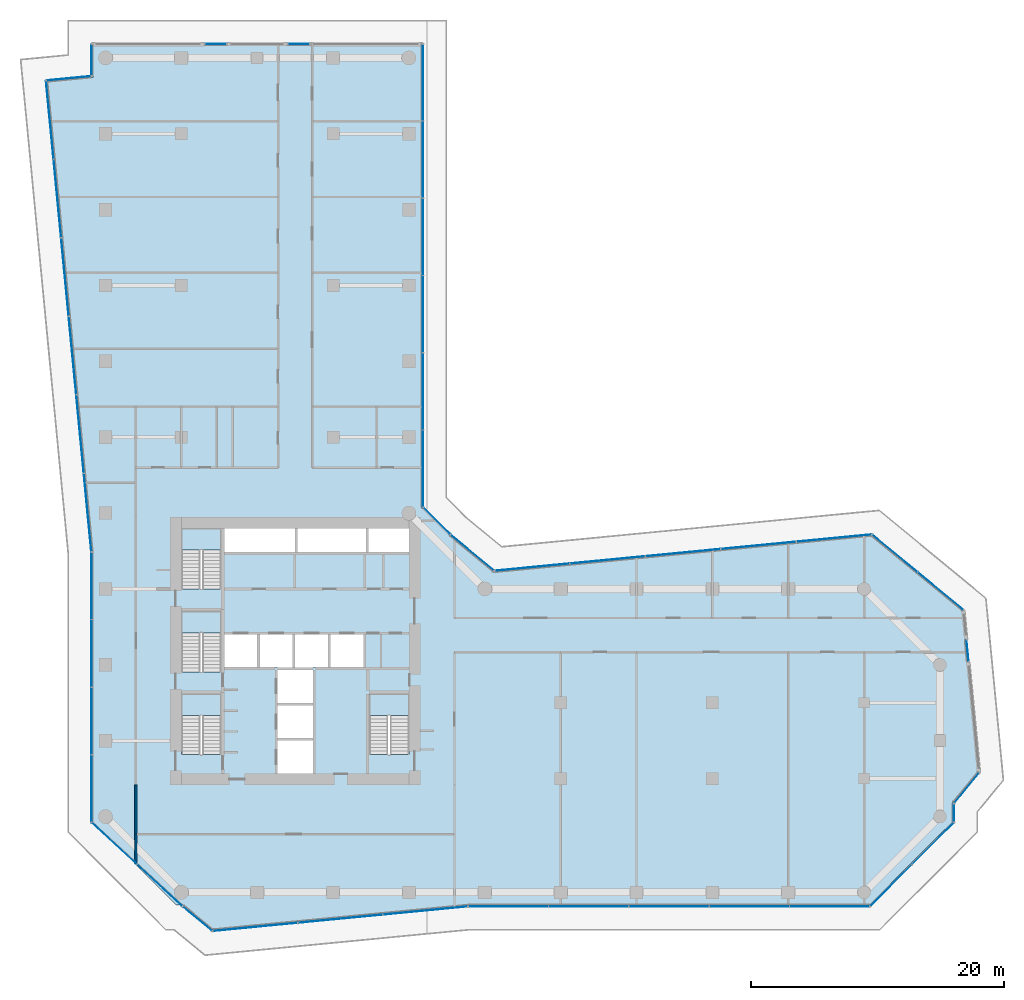
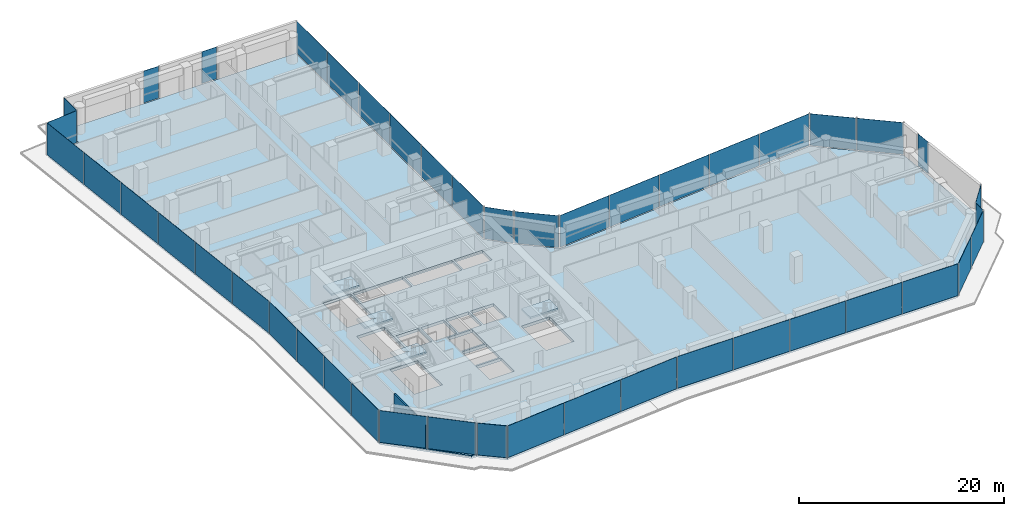
# One storey, part 23 of 30: 45 plates, 5 slabs, 2 walls, 23 elements without a shape of their own.
"""IFC4 building model written with IfcOpenShell, lengths in metres."""

from ifc_helpers import new_model, si_unit, direction, frame, frame_2d, origin, origin_2d, place, context, subcontext, project, spatial, polyline, rectangle, outline, extrude, material, layer, layer_set, type_object, element, aggregate, save


model = new_model("IFC4")

# Units and contexts
model_context = context("Model", 3, precision=1e-05, world=origin(), true_north=direction((0.0, 1.0)))
body_context = subcontext(model_context, "Body", "Model", "MODEL_VIEW")
ifc_project = project(units=[si_unit("LENGTHUNIT", "METRE"), si_unit("AREAUNIT", "SQUARE_METRE"), si_unit("VOLUMEUNIT", "CUBIC_METRE"), si_unit("PLANEANGLEUNIT", "RADIAN"), si_unit("MASSUNIT", "GRAM", prefix="KILO")], contexts=[model_context])

# Site, building, storey
site_placement = place(None, origin())
site = spatial("IfcSite", under=ifc_project, at=site_placement, CompositionType="ELEMENT")
building_placement = place(site_placement, origin())
building = spatial("IfcBuilding", under=site, at=building_placement, Name="Welwitschia Terrace Campus", CompositionType="ELEMENT")
storey_placement = place(building_placement, frame((0.0, 0.0, 75.199951171875)))
storey = spatial("IfcBuildingStorey", under=building, at=storey_placement, Name="L17", CompositionType="ELEMENT", Elevation=75.199951171875)

# Curtain wall, plates
ifc_material_1 = material(Name="Bronze anodised aluminium", Category="aluminium")
ifc_layer_1 = layer(ifc_material_1, 0.1201171875)
ifc_layer_set_1 = layer_set([ifc_layer_1], Name="Bronze anodised aluminium")
curtain_wall_type = type_object("IfcCurtainWallType", Name="Curtain wall CW2 tower 6000", PredefinedType="NOTDEFINED", material=ifc_layer_set_1)
curtain_wall_1_placement = place(storey_placement, origin())
curtain_wall_1 = element("IfcCurtainWall", 1, at=curtain_wall_1_placement, inside=storey, type_object=curtain_wall_type, Name="CW L17.0.0", PredefinedType="NOTDEFINED")
ifc_material_2 = material(Name="Tinted bronze-grey glass", Category="glass")
ifc_layer_2 = layer(ifc_material_2, 0.028076171875)
ifc_layer_set_2 = layer_set([ifc_layer_2], Name="Tinted bronze-grey glass")
plate_type = type_object("IfcPlateType", Name="Glass panel 28 tinted", PredefinedType="CURTAIN_PANEL", material=ifc_layer_set_2)
plate_1_placement = place(storey_placement, frame((0.698974609375, -0.134765625, 0.0), z_axis=(0.0, 0.0, 1.0), x_axis=(0.734854323203, -0.678224980128, 0.0)))
plate_1 = element("IfcPlate", 2, at=plate_1_placement, type_object=plate_type, Name="Panel L17.0.0.0", PredefinedType="CURTAIN_PANEL", context=body_context, shape_type="SweptSolid", body=[
    extrude(rectangle(XDim=4.814453125, YDim=0.028076171875, at=origin_2d()), origin(), (0.0, 0.0, 1.0), 3.800048828125),
])
plate_2_placement = place(storey_placement, frame((4.281005859375, -3.440673828125, 0.0), z_axis=(0.0, 0.0, 1.0), x_axis=(0.734854323203, -0.678224980128, 0.0)))
plate_2 = element("IfcPlate", 3, at=plate_2_placement, type_object=plate_type, Name="Panel L17.0.0.1", PredefinedType="CURTAIN_PANEL", context=body_context, shape_type="SweptSolid", body=[
    extrude(rectangle(XDim=4.814453125, YDim=0.028076171875, at=origin_2d()), origin(), (0.0, 0.0, 1.0), 3.800048828125),
])
aggregate(curtain_wall_1, [plate_1, plate_2])

# Curtain wall, plate
curtain_wall_2_placement = place(storey_placement, origin())
curtain_wall_2 = element("IfcCurtainWall", 4, at=curtain_wall_2_placement, inside=storey, type_object=curtain_wall_type, Name="CW L17.1.0", PredefinedType="NOTDEFINED")
plate_3_placement = place(storey_placement, frame((7.275146484375, -6.087646484375, 0.0), z_axis=(0.0, 0.0, 1.0), x_axis=(0.771624583388, -0.636078220278, 0.0)))
plate_3 = element("IfcPlate", 5, at=plate_3_placement, type_object=plate_type, Name="Panel L17.1.0.0", PredefinedType="CURTAIN_PANEL", context=body_context, shape_type="SweptSolid", body=[
    extrude(rectangle(XDim=2.941650390625, YDim=0.028076171875, at=origin_2d()), origin(), (0.0, 0.0, 1.0), 3.800048828125),
])
aggregate(curtain_wall_2, [plate_3])

# Curtain wall, plates
curtain_wall_3_placement = place(storey_placement, origin())
curtain_wall_3 = element("IfcCurtainWall", 6, at=curtain_wall_3_placement, inside=storey, type_object=curtain_wall_type, Name="CW L17.2.0", PredefinedType="NOTDEFINED")
plate_4_placement = place(storey_placement, frame((11.842041015625, -6.7353515625, 0.0), z_axis=(0.0, 0.0, 1.0), x_axis=(0.995396198367, 0.09584575252, 0.0)))
plate_4 = element("IfcPlate", 7, at=plate_4_placement, type_object=plate_type, Name="Panel L17.2.0.0", PredefinedType="CURTAIN_PANEL", context=body_context, shape_type="SweptSolid", body=[
    extrude(rectangle(XDim=6.6826171875, YDim=0.028076171875, at=origin_2d()), origin(), (0.0, 0.0, 1.0), 3.800048828125),
])
plate_5_placement = place(storey_placement, frame((18.568603515625, -6.087646484375, 0.0), z_axis=(0.0, 0.0, 1.0), x_axis=(0.995396198367, 0.09584575252, 0.0)))
plate_5 = element("IfcPlate", 8, at=plate_5_placement, type_object=plate_type, Name="Panel L17.2.0.1", PredefinedType="CURTAIN_PANEL", context=body_context, shape_type="SweptSolid", body=[
    extrude(rectangle(XDim=6.712646484375, YDim=0.028076171875, at=origin_2d()), origin(), (0.0, 0.0, 1.0), 3.800048828125),
])
plate_6_placement = place(storey_placement, frame((25.294921875, -5.43994140625, 0.0), z_axis=(0.0, 0.0, 1.0), x_axis=(0.995396198367, 0.09584575252, 0.0)))
plate_6 = element("IfcPlate", 9, at=plate_6_placement, type_object=plate_type, Name="Panel L17.2.0.2", PredefinedType="CURTAIN_PANEL", context=body_context, shape_type="SweptSolid", body=[
    extrude(rectangle(XDim=6.6826171875, YDim=0.028076171875, at=origin_2d()), origin(), (0.0, 0.0, 1.0), 3.800048828125),
])
aggregate(curtain_wall_3, [plate_4, plate_5, plate_6])

curtain_wall_4_placement = place(storey_placement, origin())
curtain_wall_4 = element("IfcCurtainWall", 10, at=curtain_wall_4_placement, inside=storey, type_object=curtain_wall_type, Name="CW L17.3.0", PredefinedType="NOTDEFINED")
plate_7_placement = place(storey_placement, frame((31.873779296875, -5.114013671875, 0.0), z_axis=(0.0, 0.0, 1.0), x_axis=(1.0, 0.0, 0.0)))
plate_7 = element("IfcPlate", 11, at=plate_7_placement, type_object=plate_type, Name="Panel L17.3.0.0", PredefinedType="CURTAIN_PANEL", context=body_context, shape_type="SweptSolid", body=[
    extrude(rectangle(XDim=6.26611328125, YDim=0.028076171875, at=origin_2d()), origin(), (0.0, 0.0, 1.0), 3.800048828125),
])
plate_8_placement = place(storey_placement, frame((38.21484375, -5.114013671875, 0.0), z_axis=(0.0, 0.0, 1.0), x_axis=(1.0, 0.0, 0.0)))
plate_8 = element("IfcPlate", 12, at=plate_8_placement, type_object=plate_type, Name="Panel L17.3.0.1", PredefinedType="CURTAIN_PANEL", context=body_context, shape_type="SweptSolid", body=[
    extrude(rectangle(XDim=6.296142578125, YDim=0.028076171875, at=origin_2d()), origin(), (0.0, 0.0, 1.0), 3.800048828125),
])
plate_9_placement = place(storey_placement, frame((44.571044921875, -5.114013671875, 0.0), z_axis=(0.0, 0.0, 1.0), x_axis=(1.0, 0.0, 0.0)))
plate_9 = element("IfcPlate", 13, at=plate_9_placement, type_object=plate_type, Name="Panel L17.3.0.2", PredefinedType="CURTAIN_PANEL", context=body_context, shape_type="SweptSolid", body=[
    extrude(rectangle(XDim=6.296142578125, YDim=0.028076171875, at=origin_2d()), origin(), (0.0, 0.0, 1.0), 3.800048828125),
])
plate_10_placement = place(storey_placement, frame((50.92724609375, -5.114013671875, 0.0), z_axis=(0.0, 0.0, 1.0), x_axis=(1.0, 0.0, 0.0)))
plate_10 = element("IfcPlate", 14, at=plate_10_placement, type_object=plate_type, Name="Panel L17.3.0.3", PredefinedType="CURTAIN_PANEL", context=body_context, shape_type="SweptSolid", body=[
    extrude(rectangle(XDim=6.296142578125, YDim=0.028076171875, at=origin_2d()), origin(), (0.0, 0.0, 1.0), 3.800048828125),
])
plate_11_placement = place(storey_placement, frame((57.268310546875, -5.114013671875, 0.0), z_axis=(0.0, 0.0, 1.0), x_axis=(1.0, 0.0, 0.0)))
plate_11 = element("IfcPlate", 15, at=plate_11_placement, type_object=plate_type, Name="Panel L17.3.0.4", PredefinedType="CURTAIN_PANEL", context=body_context, shape_type="SweptSolid", body=[
    extrude(rectangle(XDim=6.26611328125, YDim=0.028076171875, at=origin_2d()), origin(), (0.0, 0.0, 1.0), 3.800048828125),
])
aggregate(curtain_wall_4, [plate_7, plate_8, plate_9, plate_10, plate_11])

curtain_wall_5_placement = place(storey_placement, origin())
curtain_wall_5 = element("IfcCurtainWall", 16, at=curtain_wall_5_placement, inside=storey, type_object=curtain_wall_type, Name="CW L17.4.0", PredefinedType="NOTDEFINED")
plate_12_placement = place(storey_placement, frame((62.13525390625, -3.440185546875, 0.0), z_axis=(0.0, 0.0, 1.0), x_axis=(0.707106781187, 0.707106781187, 0.0)))
plate_12 = element("IfcPlate", 17, at=plate_12_placement, type_object=plate_type, Name="Panel L17.4.0.0", PredefinedType="CURTAIN_PANEL", context=body_context, shape_type="SweptSolid", body=[
    extrude(rectangle(XDim=4.614013671875, YDim=0.028076171875, at=origin_2d()), origin(), (0.0, 0.0, 1.0), 3.800048828125),
])
plate_13_placement = place(storey_placement, frame((65.440185546875, -0.13525390625, 0.0), z_axis=(0.0, 0.0, 1.0), x_axis=(0.707106781187, 0.707106781187, 0.0)))
plate_13 = element("IfcPlate", 18, at=plate_13_placement, type_object=plate_type, Name="Panel L17.4.0.1", PredefinedType="CURTAIN_PANEL", context=body_context, shape_type="SweptSolid", body=[
    extrude(rectangle(XDim=4.614013671875, YDim=0.028076171875, at=origin_2d()), origin(), (0.0, 0.0, 1.0), 3.800048828125),
])
aggregate(curtain_wall_5, [plate_12, plate_13])

# Curtain wall, plate
curtain_wall_6_placement = place(storey_placement, origin())
curtain_wall_6 = element("IfcCurtainWall", 19, at=curtain_wall_6_placement, inside=storey, type_object=curtain_wall_type, Name="CW L17.5.0", PredefinedType="NOTDEFINED")
plate_14_placement = place(storey_placement, frame((67.114013671875, 2.289306640625, 0.0), z_axis=(0.0, 0.0, 1.0), x_axis=(0.0, 1.0, 0.0)))
plate_14 = element("IfcPlate", 20, at=plate_14_placement, type_object=plate_type, Name="Panel L17.5.0.0", PredefinedType="CURTAIN_PANEL", context=body_context, shape_type="SweptSolid", body=[
    extrude(rectangle(XDim=1.381591796875, YDim=0.028076171875, at=origin_2d()), origin(), (0.0, 0.0, 1.0), 3.800048828125),
])
aggregate(curtain_wall_6, [plate_14])

curtain_wall_7_placement = place(storey_placement, origin())
curtain_wall_7 = element("IfcCurtainWall", 21, at=curtain_wall_7_placement, inside=storey, type_object=curtain_wall_type, Name="CW L17.6.0", PredefinedType="NOTDEFINED")
plate_15_placement = place(storey_placement, frame((68.1123046875, 4.251220703125, 0.0), z_axis=(0.0, 0.0, 1.0), x_axis=(0.636078220278, 0.771624583388, 0.0)))
plate_15 = element("IfcPlate", 22, at=plate_15_placement, type_object=plate_type, Name="Panel L17.6.0.0", PredefinedType="CURTAIN_PANEL", context=body_context, shape_type="SweptSolid", body=[
    extrude(rectangle(XDim=3.01904296875, YDim=0.028076171875, at=origin_2d()), origin(), (0.0, 0.0, 1.0), 3.800048828125),
])
aggregate(curtain_wall_7, [plate_15])

curtain_wall_8_placement = place(storey_placement, origin())
curtain_wall_8 = element("IfcCurtainWall", 23, at=curtain_wall_8_placement, inside=storey, type_object=curtain_wall_type, Name="CW L17.7.S0", PredefinedType="NOTDEFINED")
plate_16_placement = place(storey_placement, frame((68.181884765625, 15.10986328125, 0.0), z_axis=(0.0, 0.0, 1.0), x_axis=(-0.09584575252, 0.995396198367, 0.0)))
plate_16 = element("IfcPlate", 24, at=plate_16_placement, type_object=plate_type, Name="Panel L17.7.S0.0", PredefinedType="CURTAIN_PANEL", context=body_context, shape_type="SweptSolid", body=[
    extrude(rectangle(XDim=1.679931640625, YDim=0.028076171875, at=origin_2d()), origin(), (0.0, 0.0, 1.0), 3.800048828125),
])
aggregate(curtain_wall_8, [plate_16])

# Curtain wall, plates
curtain_wall_9_placement = place(storey_placement, origin())
curtain_wall_9 = element("IfcCurtainWall", 25, at=curtain_wall_9_placement, inside=storey, type_object=curtain_wall_type, Name="CW L17.8.0", PredefinedType="NOTDEFINED")
plate_17_placement = place(storey_placement, frame((66.045654296875, 19.831298828125, 0.0), z_axis=(0.0, 0.0, 1.0), x_axis=(-0.771624583388, 0.636078220278, 0.0)))
plate_17 = element("IfcPlate", 26, at=plate_17_placement, type_object=plate_type, Name="Panel L17.8.0.0", PredefinedType="CURTAIN_PANEL", context=body_context, shape_type="SweptSolid", body=[
    extrude(rectangle(XDim=4.614013671875, YDim=0.028076171875, at=origin_2d()), origin(), (0.0, 0.0, 1.0), 3.800048828125),
])
plate_18_placement = place(storey_placement, frame((62.43896484375, 22.804443359375, 0.0), z_axis=(0.0, 0.0, 1.0), x_axis=(-0.771624583388, 0.636078220278, 0.0)))
plate_18 = element("IfcPlate", 27, at=plate_18_placement, type_object=plate_type, Name="Panel L17.8.0.1", PredefinedType="CURTAIN_PANEL", context=body_context, shape_type="SweptSolid", body=[
    extrude(rectangle(XDim=4.614013671875, YDim=0.028076171875, at=origin_2d()), origin(), (0.0, 0.0, 1.0), 3.800048828125),
])
aggregate(curtain_wall_9, [plate_17, plate_18])

curtain_wall_10_placement = place(storey_placement, origin())
curtain_wall_10 = element("IfcCurtainWall", 28, at=curtain_wall_10_placement, inside=storey, type_object=curtain_wall_type, Name="CW L17.9.0", PredefinedType="NOTDEFINED")
plate_19_placement = place(storey_placement, frame((57.611328125, 24.02099609375, 0.0), z_axis=(0.0, 0.0, 1.0), x_axis=(-0.995396198367, -0.09584575252, 0.0)))
plate_19 = element("IfcPlate", 29, at=plate_19_placement, type_object=plate_type, Name="Panel L17.9.0.0", PredefinedType="CURTAIN_PANEL", context=body_context, shape_type="SweptSolid", body=[
    extrude(rectangle(XDim=5.909912109375, YDim=0.028076171875, at=origin_2d()), origin(), (0.0, 0.0, 1.0), 3.800048828125),
])
plate_20_placement = place(storey_placement, frame((51.654052734375, 23.447509765625, 0.0), z_axis=(0.0, 0.0, 1.0), x_axis=(-0.995396198367, -0.09584575252, 0.0)))
plate_20 = element("IfcPlate", 30, at=plate_20_placement, type_object=plate_type, Name="Panel L17.9.0.1", PredefinedType="CURTAIN_PANEL", context=body_context, shape_type="SweptSolid", body=[
    extrude(rectangle(XDim=5.93994140625, YDim=0.028076171875, at=origin_2d()), origin(), (0.0, 0.0, 1.0), 3.800048828125),
])
plate_21_placement = place(storey_placement, frame((45.681640625, 22.872314453125, 0.0), z_axis=(0.0, 0.0, 1.0), x_axis=(-0.995396198367, -0.09584575252, 0.0)))
plate_21 = element("IfcPlate", 31, at=plate_21_placement, type_object=plate_type, Name="Panel L17.9.0.2", PredefinedType="CURTAIN_PANEL", context=body_context, shape_type="SweptSolid", body=[
    extrude(rectangle(XDim=5.93994140625, YDim=0.028076171875, at=origin_2d()), origin(), (0.0, 0.0, 1.0), 3.800048828125),
])
plate_22_placement = place(storey_placement, frame((39.709228515625, 22.297119140625, 0.0), z_axis=(0.0, 0.0, 1.0), x_axis=(-0.995396198367, -0.09584575252, 0.0)))
plate_22 = element("IfcPlate", 32, at=plate_22_placement, type_object=plate_type, Name="Panel L17.9.0.3", PredefinedType="CURTAIN_PANEL", context=body_context, shape_type="SweptSolid", body=[
    extrude(rectangle(XDim=5.93994140625, YDim=0.028076171875, at=origin_2d()), origin(), (0.0, 0.0, 1.0), 3.800048828125),
])
plate_23_placement = place(storey_placement, frame((33.751708984375, 21.7236328125, 0.0), z_axis=(0.0, 0.0, 1.0), x_axis=(-0.995396198367, -0.09584575252, 0.0)))
plate_23 = element("IfcPlate", 33, at=plate_23_placement, type_object=plate_type, Name="Panel L17.9.0.4", PredefinedType="CURTAIN_PANEL", context=body_context, shape_type="SweptSolid", body=[
    extrude(rectangle(XDim=5.909912109375, YDim=0.028076171875, at=origin_2d()), origin(), (0.0, 0.0, 1.0), 3.800048828125),
])
aggregate(curtain_wall_10, [plate_19, plate_20, plate_21, plate_22, plate_23])

# Curtain wall, plate
curtain_wall_11_placement = place(storey_placement, origin())
curtain_wall_11 = element("IfcCurtainWall", 34, at=curtain_wall_11_placement, inside=storey, type_object=curtain_wall_type, Name="CW L17.10.0", PredefinedType="NOTDEFINED")
plate_24_placement = place(storey_placement, frame((29.014892578125, 22.865478515625, 0.0), z_axis=(0.0, 0.0, 1.0), x_axis=(-0.771624583388, 0.636078220278, 0.0)))
plate_24 = element("IfcPlate", 35, at=plate_24_placement, type_object=plate_type, Name="Panel L17.10.0.0", PredefinedType="CURTAIN_PANEL", context=body_context, shape_type="SweptSolid", body=[
    extrude(rectangle(XDim=4.37939453125, YDim=0.028076171875, at=origin_2d()), origin(), (0.0, 0.0, 1.0), 3.800048828125),
])
aggregate(curtain_wall_11, [plate_24])

curtain_wall_12_placement = place(storey_placement, origin())
curtain_wall_12 = element("IfcCurtainWall", 36, at=curtain_wall_12_placement, inside=storey, type_object=curtain_wall_type, Name="CW L17.11.0", PredefinedType="NOTDEFINED")
plate_25_placement = place(storey_placement, frame((26.196533203125, 25.37890625, 0.0), z_axis=(0.0, 0.0, 1.0), x_axis=(-0.707106781187, 0.707106781187, 0.0)))
plate_25 = element("IfcPlate", 37, at=plate_25_placement, type_object=plate_type, Name="Panel L17.11.0.0", PredefinedType="CURTAIN_PANEL", context=body_context, shape_type="SweptSolid", body=[
    extrude(rectangle(XDim=2.941650390625, YDim=0.028076171875, at=origin_2d()), origin(), (0.0, 0.0, 1.0), 3.800048828125),
])
aggregate(curtain_wall_12, [plate_25])

# Curtain wall, plates
curtain_wall_13_placement = place(storey_placement, origin())
curtain_wall_13 = element("IfcCurtainWall", 38, at=curtain_wall_13_placement, inside=storey, type_object=curtain_wall_type, Name="CW L17.12.0", PredefinedType="NOTDEFINED")
plate_26_placement = place(storey_placement, frame((25.114013671875, 29.53076171875, 0.0), z_axis=(0.0, 0.0, 1.0), x_axis=(0.0, 1.0, 0.0)))
plate_26 = element("IfcPlate", 39, at=plate_26_placement, type_object=plate_type, Name="Panel L17.12.0.0", PredefinedType="CURTAIN_PANEL", context=body_context, shape_type="SweptSolid", body=[
    extrude(rectangle(XDim=6.018798828125, YDim=0.028076171875, at=origin_2d()), origin(), (0.0, 0.0, 1.0), 3.800048828125),
])
plate_27_placement = place(storey_placement, frame((25.114013671875, 35.62451171875, 0.0), z_axis=(0.0, 0.0, 1.0), x_axis=(0.0, 1.0, 0.0)))
plate_27 = element("IfcPlate", 40, at=plate_27_placement, type_object=plate_type, Name="Panel L17.12.0.1", PredefinedType="CURTAIN_PANEL", context=body_context, shape_type="SweptSolid", body=[
    extrude(rectangle(XDim=6.048828125, YDim=0.028076171875, at=origin_2d()), origin(), (0.0, 0.0, 1.0), 3.800048828125),
])
plate_28_placement = place(storey_placement, frame((25.114013671875, 41.7333984375, 0.0), z_axis=(0.0, 0.0, 1.0), x_axis=(0.0, 1.0, 0.0)))
plate_28 = element("IfcPlate", 41, at=plate_28_placement, type_object=plate_type, Name="Panel L17.12.0.2", PredefinedType="CURTAIN_PANEL", context=body_context, shape_type="SweptSolid", body=[
    extrude(rectangle(XDim=6.048828125, YDim=0.028076171875, at=origin_2d()), origin(), (0.0, 0.0, 1.0), 3.800048828125),
])
plate_29_placement = place(storey_placement, frame((25.114013671875, 47.842041015625, 0.0), z_axis=(0.0, 0.0, 1.0), x_axis=(0.0, 1.0, 0.0)))
plate_29 = element("IfcPlate", 42, at=plate_29_placement, type_object=plate_type, Name="Panel L17.12.0.3", PredefinedType="CURTAIN_PANEL", context=body_context, shape_type="SweptSolid", body=[
    extrude(rectangle(XDim=6.048828125, YDim=0.028076171875, at=origin_2d()), origin(), (0.0, 0.0, 1.0), 3.800048828125),
])
plate_30_placement = place(storey_placement, frame((25.114013671875, 53.950927734375, 0.0), z_axis=(0.0, 0.0, 1.0), x_axis=(0.0, 1.0, 0.0)))
plate_30 = element("IfcPlate", 43, at=plate_30_placement, type_object=plate_type, Name="Panel L17.12.0.4", PredefinedType="CURTAIN_PANEL", context=body_context, shape_type="SweptSolid", body=[
    extrude(rectangle(XDim=6.048828125, YDim=0.028076171875, at=origin_2d()), origin(), (0.0, 0.0, 1.0), 3.800048828125),
])
plate_31_placement = place(storey_placement, frame((25.114013671875, 60.044677734375, 0.0), z_axis=(0.0, 0.0, 1.0), x_axis=(0.0, 1.0, 0.0)))
plate_31 = element("IfcPlate", 44, at=plate_31_placement, type_object=plate_type, Name="Panel L17.12.0.5", PredefinedType="CURTAIN_PANEL", context=body_context, shape_type="SweptSolid", body=[
    extrude(rectangle(XDim=6.018798828125, YDim=0.028076171875, at=origin_2d()), origin(), (0.0, 0.0, 1.0), 3.800048828125),
])
aggregate(curtain_wall_13, [plate_26, plate_27, plate_28, plate_29, plate_30, plate_31])

# Curtain wall, plate
curtain_wall_14_placement = place(storey_placement, origin())
curtain_wall_14 = element("IfcCurtainWall", 45, at=curtain_wall_14_placement, inside=storey, type_object=curtain_wall_type, Name="CW L17.13.S0", PredefinedType="NOTDEFINED")
plate_32_placement = place(storey_placement, frame((15.278564453125, 63.114013671875, 0.0), z_axis=(0.0, 0.0, 1.0), x_axis=(-1.0, 0.0, 0.0)))
plate_32 = element("IfcPlate", 46, at=plate_32_placement, type_object=plate_type, Name="Panel L17.13.S0.0", PredefinedType="CURTAIN_PANEL", context=body_context, shape_type="SweptSolid", body=[
    extrude(rectangle(XDim=1.679931640625, YDim=0.028076171875, at=origin_2d()), origin(), (0.0, 0.0, 1.0), 3.800048828125),
])
aggregate(curtain_wall_14, [plate_32])

curtain_wall_15_placement = place(storey_placement, origin())
curtain_wall_15 = element("IfcCurtainWall", 47, at=curtain_wall_15_placement, inside=storey, type_object=curtain_wall_type, Name="CW L17.13.S1", PredefinedType="NOTDEFINED")
plate_33_placement = place(storey_placement, frame((8.721435546875, 63.114013671875, 0.0), z_axis=(0.0, 0.0, 1.0), x_axis=(-1.0, 0.0, 0.0)))
plate_33 = element("IfcPlate", 48, at=plate_33_placement, type_object=plate_type, Name="Panel L17.13.S1.0", PredefinedType="CURTAIN_PANEL", context=body_context, shape_type="SweptSolid", body=[
    extrude(rectangle(XDim=1.679931640625, YDim=0.028076171875, at=origin_2d()), origin(), (0.0, 0.0, 1.0), 3.800048828125),
])
aggregate(curtain_wall_15, [plate_33])

curtain_wall_16_placement = place(storey_placement, origin())
curtain_wall_16 = element("IfcCurtainWall", 49, at=curtain_wall_16_placement, inside=storey, type_object=curtain_wall_type, Name="CW L17.14.0", PredefinedType="NOTDEFINED")
plate_34_placement = place(storey_placement, frame((-1.114013671875, 61.83740234375, 0.0), z_axis=(0.0, 0.0, 1.0), x_axis=(0.0, -1.0, 0.0)))
plate_34 = element("IfcPlate", 50, at=plate_34_placement, type_object=plate_type, Name="Panel L17.14.0.0", PredefinedType="CURTAIN_PANEL", context=body_context, shape_type="SweptSolid", body=[
    extrude(rectangle(XDim=2.433349609375, YDim=0.028076171875, at=origin_2d()), origin(), (0.0, 0.0, 1.0), 3.800048828125),
])
aggregate(curtain_wall_16, [plate_34])

curtain_wall_17_placement = place(storey_placement, origin())
curtain_wall_17 = element("IfcCurtainWall", 51, at=curtain_wall_17_placement, inside=storey, type_object=curtain_wall_type, Name="CW L17.15.0", PredefinedType="NOTDEFINED")
plate_35_placement = place(storey_placement, frame((-2.909423828125, 60.3876953125, 0.0), z_axis=(0.0, 0.0, 1.0), x_axis=(-0.995396198367, -0.09584575252, 0.0)))
plate_35 = element("IfcPlate", 52, at=plate_35_placement, type_object=plate_type, Name="Panel L17.15.0.0", PredefinedType="CURTAIN_PANEL", context=body_context, shape_type="SweptSolid", body=[
    extrude(rectangle(XDim=3.487548828125, YDim=0.028076171875, at=origin_2d()), origin(), (0.0, 0.0, 1.0), 3.800048828125),
])
aggregate(curtain_wall_17, [plate_35])

# Curtain wall, plates
curtain_wall_18_placement = place(storey_placement, origin())
curtain_wall_18 = element("IfcCurtainWall", 53, at=curtain_wall_18_placement, inside=storey, type_object=curtain_wall_type, Name="CW L17.16.0", PredefinedType="NOTDEFINED")
plate_36_placement = place(storey_placement, frame((-4.404296875, 57.09228515625, 0.0), z_axis=(0.0, 0.0, 1.0), x_axis=(0.09584575252, -0.995396198367, 0.0)))
plate_36 = element("IfcPlate", 54, at=plate_36_placement, type_object=plate_type, Name="Panel L17.16.0.0", PredefinedType="CURTAIN_PANEL", context=body_context, shape_type="SweptSolid", body=[
    extrude(rectangle(XDim=6.154296875, YDim=0.028076171875, at=origin_2d()), origin(), (0.0, 0.0, 1.0), 3.800048828125),
])
plate_37_placement = place(storey_placement, frame((-3.80712890625, 50.8916015625, 0.0), z_axis=(0.0, 0.0, 1.0), x_axis=(0.09584575252, -0.995396198367, 0.0)))
plate_37 = element("IfcPlate", 55, at=plate_37_placement, type_object=plate_type, Name="Panel L17.16.0.1", PredefinedType="CURTAIN_PANEL", context=body_context, shape_type="SweptSolid", body=[
    extrude(rectangle(XDim=6.184326171875, YDim=0.028076171875, at=origin_2d()), origin(), (0.0, 0.0, 1.0), 3.800048828125),
])
plate_38_placement = place(storey_placement, frame((-3.208740234375, 44.676025390625, 0.0), z_axis=(0.0, 0.0, 1.0), x_axis=(0.09584575252, -0.995396198367, 0.0)))
plate_38 = element("IfcPlate", 56, at=plate_38_placement, type_object=plate_type, Name="Panel L17.16.0.2", PredefinedType="CURTAIN_PANEL", context=body_context, shape_type="SweptSolid", body=[
    extrude(rectangle(XDim=6.184326171875, YDim=0.028076171875, at=origin_2d()), origin(), (0.0, 0.0, 1.0), 3.800048828125),
])
plate_39_placement = place(storey_placement, frame((-2.610107421875, 38.460693359375, 0.0), z_axis=(0.0, 0.0, 1.0), x_axis=(0.09584575252, -0.995396198367, 0.0)))
plate_39 = element("IfcPlate", 57, at=plate_39_placement, type_object=plate_type, Name="Panel L17.16.0.3", PredefinedType="CURTAIN_PANEL", context=body_context, shape_type="SweptSolid", body=[
    extrude(rectangle(XDim=6.184326171875, YDim=0.028076171875, at=origin_2d()), origin(), (0.0, 0.0, 1.0), 3.800048828125),
])
plate_40_placement = place(storey_placement, frame((-2.01171875, 32.2451171875, 0.0), z_axis=(0.0, 0.0, 1.0), x_axis=(0.09584575252, -0.995396198367, 0.0)))
plate_40 = element("IfcPlate", 58, at=plate_40_placement, type_object=plate_type, Name="Panel L17.16.0.4", PredefinedType="CURTAIN_PANEL", context=body_context, shape_type="SweptSolid", body=[
    extrude(rectangle(XDim=6.184326171875, YDim=0.028076171875, at=origin_2d()), origin(), (0.0, 0.0, 1.0), 3.800048828125),
])
plate_41_placement = place(storey_placement, frame((-1.414794921875, 26.04443359375, 0.0), z_axis=(0.0, 0.0, 1.0), x_axis=(0.09584575252, -0.995396198367, 0.0)))
plate_41 = element("IfcPlate", 59, at=plate_41_placement, type_object=plate_type, Name="Panel L17.16.0.5", PredefinedType="CURTAIN_PANEL", context=body_context, shape_type="SweptSolid", body=[
    extrude(rectangle(XDim=6.154296875, YDim=0.028076171875, at=origin_2d()), origin(), (0.0, 0.0, 1.0), 3.800048828125),
])
aggregate(curtain_wall_18, [plate_36, plate_37, plate_38, plate_39, plate_40, plate_41])

curtain_wall_19_placement = place(storey_placement, origin())
curtain_wall_19 = element("IfcCurtainWall", 60, at=curtain_wall_19_placement, inside=storey, type_object=curtain_wall_type, Name="CW L17.17.0", PredefinedType="NOTDEFINED")
plate_42_placement = place(storey_placement, frame((-1.114013671875, 20.23388671875, 0.0), z_axis=(0.0, 0.0, 1.0), x_axis=(0.0, -1.0, 0.0)))
plate_42 = element("IfcPlate", 61, at=plate_42_placement, type_object=plate_type, Name="Panel L17.17.0.0", PredefinedType="CURTAIN_PANEL", context=body_context, shape_type="SweptSolid", body=[
    extrude(rectangle(XDim=5.255859375, YDim=0.028076171875, at=origin_2d()), origin(), (0.0, 0.0, 1.0), 3.800048828125),
])
plate_43_placement = place(storey_placement, frame((-1.114013671875, 14.903076171875, 0.0), z_axis=(0.0, 0.0, 1.0), x_axis=(0.0, -1.0, 0.0)))
plate_43 = element("IfcPlate", 62, at=plate_43_placement, type_object=plate_type, Name="Panel L17.17.0.1", PredefinedType="CURTAIN_PANEL", context=body_context, shape_type="SweptSolid", body=[
    extrude(rectangle(XDim=5.285888671875, YDim=0.028076171875, at=origin_2d()), origin(), (0.0, 0.0, 1.0), 3.800048828125),
])
plate_44_placement = place(storey_placement, frame((-1.114013671875, 9.557373046875, 0.0), z_axis=(0.0, 0.0, 1.0), x_axis=(0.0, -1.0, 0.0)))
plate_44 = element("IfcPlate", 63, at=plate_44_placement, type_object=plate_type, Name="Panel L17.17.0.2", PredefinedType="CURTAIN_PANEL", context=body_context, shape_type="SweptSolid", body=[
    extrude(rectangle(XDim=5.285888671875, YDim=0.028076171875, at=origin_2d()), origin(), (0.0, 0.0, 1.0), 3.800048828125),
])
plate_45_placement = place(storey_placement, frame((-1.114013671875, 4.2265625, 0.0), z_axis=(0.0, 0.0, 1.0), x_axis=(0.0, -1.0, 0.0)))
plate_45 = element("IfcPlate", 64, at=plate_45_placement, type_object=plate_type, Name="Panel L17.17.0.3", PredefinedType="CURTAIN_PANEL", context=body_context, shape_type="SweptSolid", body=[
    extrude(rectangle(XDim=5.255859375, YDim=0.028076171875, at=origin_2d()), origin(), (0.0, 0.0, 1.0), 3.800048828125),
])
aggregate(curtain_wall_19, [plate_42, plate_43, plate_44, plate_45])

# Stair, slab
ifc_material_3 = material(Name="Concrete C40/50", Category="concrete")
stair_type = type_object("IfcStairType", Name="Stair 24R 175 W1500", PredefinedType="HALF_TURN_STAIR", material=ifc_material_3)
stair_1_placement = place(storey_placement, origin())
stair_1 = element("IfcStair", 65, at=stair_1_placement, inside=storey, type_object=stair_type, Name="L17 Exit stair S1", PredefinedType="HALF_TURN_STAIR")
ifc_material_4 = material(Name="Concrete C40/50", Category="concrete")
ifc_layer_3 = layer(ifc_material_4, 0.199951171875)
ifc_layer_set_3 = layer_set([ifc_layer_3], Name="Concrete C40/50")
slab_type_1 = type_object("IfcSlabType", Name="Stair landing RC", PredefinedType="LANDING", material=ifc_layer_set_3)
slab_1_placement = place(storey_placement, frame((0.0, 0.0, 1.900146484375)))
slab_1 = element("IfcSlab", 66, at=slab_1_placement, type_object=slab_type_1, Name="S1 landing 1", PredefinedType="LANDING", context=body_context, shape_type="SweptSolid", body=[
    extrude(outline(polyline([(9.14990234375, 9.97998046875), (9.14990234375, 11.699951171875), (6.0, 11.699951171875), (6.0, 9.97998046875), (9.14990234375, 9.97998046875)])), origin(), (0.0, 0.0, 1.0), 0.199951171875),
])
aggregate(stair_1, [slab_1])

stair_2_placement = place(storey_placement, origin())
stair_2 = element("IfcStair", 67, at=stair_2_placement, inside=storey, type_object=stair_type, Name="L17 Exit stair S3", PredefinedType="HALF_TURN_STAIR")
slab_2_placement = place(storey_placement, frame((0.0, 0.0, 1.900146484375)))
slab_2 = element("IfcSlab", 68, at=slab_2_placement, type_object=slab_type_1, Name="S3 landing 1", PredefinedType="LANDING", context=body_context, shape_type="SweptSolid", body=[
    extrude(outline(polyline([(9.14990234375, 16.530029296875), (9.14990234375, 18.25), (6.0, 18.25), (6.0, 16.530029296875), (9.14990234375, 16.530029296875)])), origin(), (0.0, 0.0, 1.0), 0.199951171875),
])
aggregate(stair_2, [slab_2])

stair_3_placement = place(storey_placement, origin())
stair_3 = element("IfcStair", 69, at=stair_3_placement, inside=storey, type_object=stair_type, Name="L17 Exit stair S4", PredefinedType="HALF_TURN_STAIR")
slab_3_placement = place(storey_placement, frame((0.0, 0.0, 1.900146484375)))
slab_3 = element("IfcSlab", 70, at=slab_3_placement, type_object=slab_type_1, Name="S4 landing 1", PredefinedType="LANDING", context=body_context, shape_type="SweptSolid", body=[
    extrude(outline(polyline([(9.14990234375, 23.080078125), (9.14990234375, 24.800048828125), (6.0, 24.800048828125), (6.0, 23.080078125), (9.14990234375, 23.080078125)])), origin(), (0.0, 0.0, 1.0), 0.199951171875),
])
aggregate(stair_3, [slab_3])

stair_4_placement = place(storey_placement, origin())
stair_4 = element("IfcStair", 71, at=stair_4_placement, inside=storey, type_object=stair_type, Name="L17 Exit stair S2", PredefinedType="HALF_TURN_STAIR")
slab_4_placement = place(storey_placement, frame((0.0, 0.0, 1.900146484375)))
slab_4 = element("IfcSlab", 72, at=slab_4_placement, type_object=slab_type_1, Name="S2 landing 1", PredefinedType="LANDING", context=body_context, shape_type="SweptSolid", body=[
    extrude(outline(polyline([(24.0, 9.97998046875), (24.0, 11.699951171875), (20.85009765625, 11.699951171875), (20.85009765625, 9.97998046875), (24.0, 9.97998046875)])), origin(), (0.0, 0.0, 1.0), 0.199951171875),
])
aggregate(stair_4, [slab_4])

# Slab
ifc_material_5 = material(Name="Concrete C40/50", Category="concrete")
ifc_layer_4 = layer(ifc_material_5, 0.35009765625)
ifc_layer_set_4 = layer_set([ifc_layer_4], Name="Concrete C40/50")
slab_type_2 = type_object("IfcSlabType", Name="Suspended floor slab 350", PredefinedType="FLOOR", material=ifc_layer_set_4)
slab_5_placement = place(storey_placement, frame((0.0, 0.0, -0.349853515625)))
element("IfcSlab", 73, at=slab_5_placement, inside=storey, type_object=slab_type_2, Name="Floor slab L17", PredefinedType="FLOOR", context=body_context, shape_type="SweptSolid", body=[
    extrude(outline(polyline([(-1.0, 22.92724609375), (-4.58056640625, 60.1123046875), (-1.0, 60.45703125), (-1.0, 63.0), (25.0, 63.0), (25.0, 26.414306640625), (27.2021484375, 24.212158203125), (30.714599609375, 21.316650390625), (60.576416015625, 24.19189453125), (67.76318359375, 18.267822265625), (68.99267578125, 5.498291015625), (67.0, 3.0810546875), (67.0, 1.585693359375), (60.414306640625, -5.0), (28.675048828125, -5.0), (8.492431640625, -6.943359375), (6.135009765625, -5.0), (5.585693359375, -5.0), (-1.0, 1.585693359375), (-1.0, 22.92724609375)]), holes=[polyline([(13.60009765625, 8.0), (13.60009765625, 5.39990234375), (16.39990234375, 5.39990234375), (16.39990234375, 8.0), (13.60009765625, 8.0)]), polyline([(9.14990234375, 11.699951171875), (6.0, 11.699951171875), (6.0, 6.902099609375), (9.14990234375, 6.902099609375), (9.14990234375, 11.699951171875)]), polyline([(12.0, 16.39990234375), (9.39990234375, 16.39990234375), (9.39990234375, 13.800048828125), (12.0, 13.800048828125), (12.0, 16.39990234375)]), polyline([(14.800048828125, 16.39990234375), (12.199951171875, 16.39990234375), (12.199951171875, 13.800048828125), (14.800048828125, 13.800048828125), (14.800048828125, 16.39990234375)]), polyline([(9.14990234375, 18.25), (6.0, 18.25), (6.0, 13.451904296875), (9.14990234375, 13.451904296875), (9.14990234375, 18.25)]), polyline([(9.14990234375, 24.800048828125), (6.0, 24.800048828125), (6.0, 20.001953125), (9.14990234375, 20.001953125), (9.14990234375, 24.800048828125)]), polyline([(15.0, 24.800048828125), (9.39990234375, 24.800048828125), (9.39990234375, 22.89990234375), (15.0, 22.89990234375), (15.0, 24.800048828125)]), polyline([(20.85009765625, 11.699951171875), (20.85009765625, 6.902099609375), (24.0, 6.902099609375), (24.0, 11.699951171875), (20.85009765625, 11.699951171875)]), polyline([(16.39990234375, 10.800048828125), (13.60009765625, 10.800048828125), (13.60009765625, 8.199951171875), (16.39990234375, 8.199951171875), (16.39990234375, 10.800048828125)]), polyline([(16.39990234375, 13.60009765625), (13.60009765625, 13.60009765625), (13.60009765625, 11.0), (16.39990234375, 11.0), (16.39990234375, 13.60009765625)]), polyline([(17.60009765625, 16.39990234375), (15.0, 16.39990234375), (15.0, 13.800048828125), (17.60009765625, 13.800048828125), (17.60009765625, 16.39990234375)]), polyline([(20.39990234375, 16.39990234375), (17.800048828125, 16.39990234375), (17.800048828125, 13.800048828125), (20.39990234375, 13.800048828125), (20.39990234375, 16.39990234375)]), polyline([(20.60009765625, 24.800048828125), (15.199951171875, 24.800048828125), (15.199951171875, 22.89990234375), (20.60009765625, 22.89990234375), (20.60009765625, 24.800048828125)]), polyline([(24.0, 24.800048828125), (20.800048828125, 24.800048828125), (20.800048828125, 22.89990234375), (24.0, 22.89990234375), (24.0, 24.800048828125)])]), origin(), (0.0, 0.0, 1.0), 0.349853515625),
])

# Walls
ifc_material_6 = material(Name="Gypsum board on steel studs", Category="steel")
ifc_layer_5 = layer(ifc_material_6, 0.14990234375)
ifc_layer_set_5 = layer_set([ifc_layer_5], Name="Gypsum board on steel studs")
wall_type = type_object("IfcWallType", Name="Corridor partition 150 EI 30", PredefinedType="PARTITIONING", material=ifc_layer_set_5)
wall_1_placement = place(storey_placement, frame((2.39990234375, -1.72265625, 0.0), z_axis=(0.0, 0.0, 1.0), x_axis=(0.0, 1.0, 0.0)))
element("IfcWall", 74, at=wall_1_placement, inside=storey, type_object=wall_type, Name="Partition", PredefinedType="PARTITIONING", context=body_context, shape_type="SweptSolid", body=[
    extrude(rectangle(XDim=2.32275390625, YDim=0.14990234375, at=frame_2d((1.161376953125, 0.0))), origin(), (0.0, 0.0, 1.0), 2.780029296875),
])
wall_2_placement = place(storey_placement, frame((2.39990234375, 0.60009765625, 0.0), z_axis=(0.0, 0.0, 1.0), x_axis=(0.0, 1.0, 0.0)))
element("IfcWall", 75, at=wall_2_placement, inside=storey, type_object=wall_type, Name="Partition", PredefinedType="PARTITIONING", context=body_context, shape_type="SweptSolid", body=[
    extrude(rectangle(XDim=3.89990234375, YDim=0.14990234375, at=frame_2d((1.949951171875, 0.0))), origin(), (0.0, 0.0, 1.0), 2.780029296875),
])

save(model, "model.ifc")
